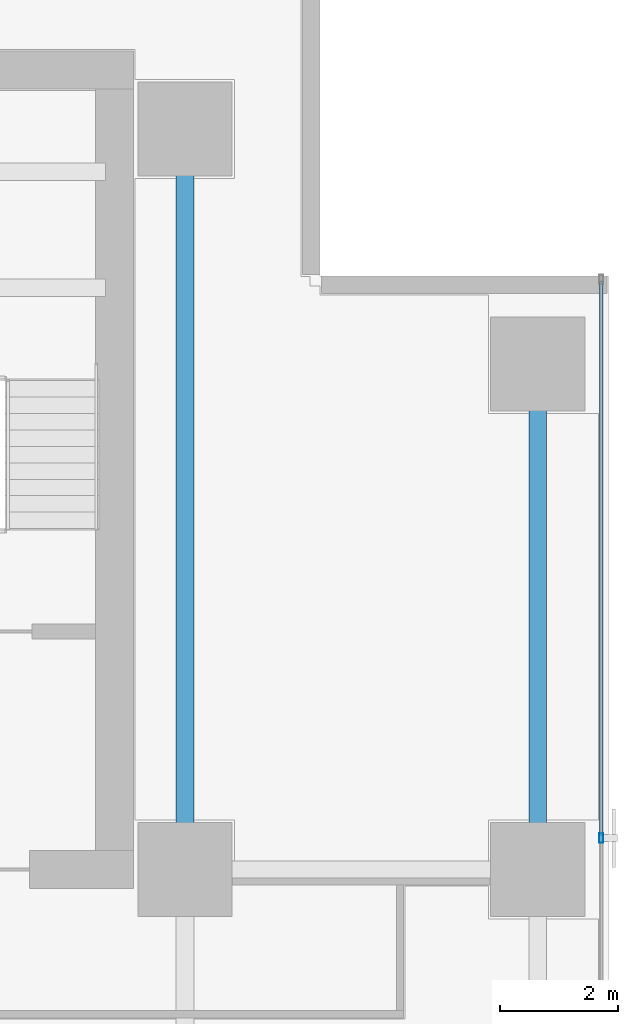
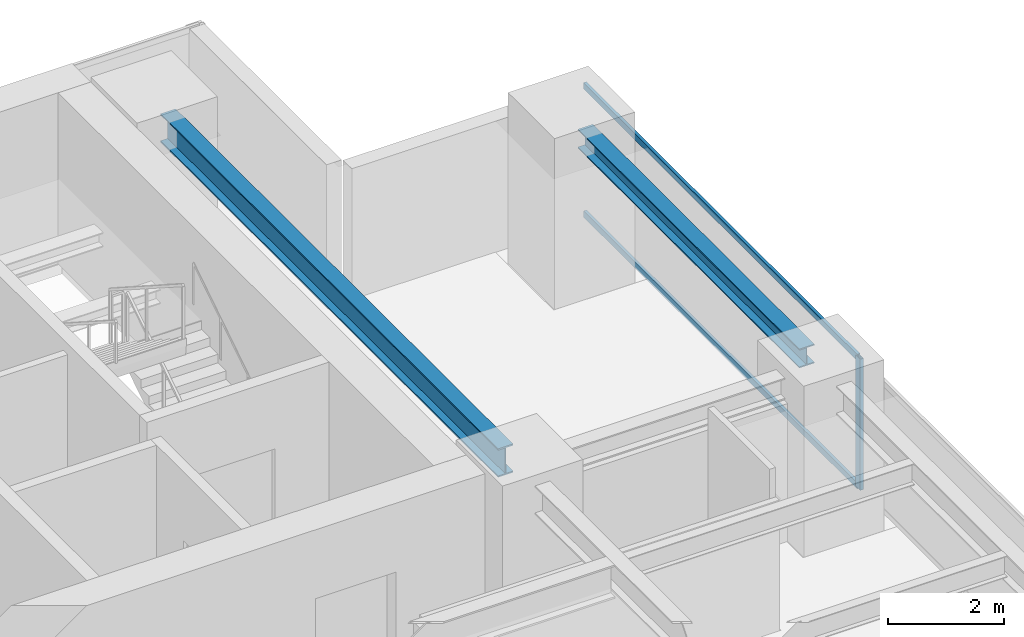
# One storey, part 18 of 27: 3 members, 2 beams, 1 element without a shape of its own.
"""IFC4 building model written with IfcOpenShell, lengths in metres."""

from ifc_helpers import new_model, si_unit, direction, frame, origin, origin_2d, place, context, subcontext, project, spatial, hollow_rectangle, i_section, extrude, source, transform, mapped, material, layer, layer_set, material_profile, profile_set, type_object, element, aggregate, save


model = new_model("IFC4")

# Units and contexts
model_context = context("Model", 3, precision=1e-05, world=origin(), true_north=direction((0.0, 1.0)))
body_context = subcontext(model_context, "Body", "Model", "MODEL_VIEW")
ifc_project = project(units=[si_unit("LENGTHUNIT", "METRE"), si_unit("AREAUNIT", "SQUARE_METRE"), si_unit("VOLUMEUNIT", "CUBIC_METRE"), si_unit("PLANEANGLEUNIT", "RADIAN"), si_unit("MASSUNIT", "GRAM", prefix="KILO")], contexts=[model_context])

# Site, building, storey
site_placement = place(None, origin())
site = spatial("IfcSite", under=ifc_project, at=site_placement, CompositionType="ELEMENT")
building_placement = place(site_placement, origin())
building = spatial("IfcBuilding", under=site, at=building_placement, Name="Sumidabori Civic Tower", CompositionType="ELEMENT")
storey_placement = place(building_placement, frame((0.0, 0.0, 138.800048828125)))
storey = spatial("IfcBuildingStorey", under=building, at=storey_placement, Name="L35", CompositionType="ELEMENT", Elevation=138.800048828125)

# Beams
ifc_material_1 = material(Name="Steel SN490", Category="steel")
ifc_material_profile_1 = material_profile(ifc_material_1, i_section(OverallWidth=0.300048828125, OverallDepth=0.39990234375, WebThickness=0.013427734375, FlangeThickness=0.02392578125, at=origin_2d()), Name="HE 400 B")
ifc_profile_set_1 = profile_set([ifc_material_profile_1], Name="Steel SN490")
beam_type_1 = type_object("IfcBeamType", Name="BM-GIRD-400", PredefinedType="BEAM", material=ifc_profile_set_1)
shared_shape_1 = source(origin(), body_context, "Body", "SweptSolid", [
    extrude(i_section(OverallWidth=0.300048828125, OverallDepth=0.39990234375, WebThickness=0.013427734375, FlangeThickness=0.02392578125, at=origin_2d()), origin(), (0.0, 0.0, 1.0), 7.64013671875),
])
beam_1_placement = place(storey_placement, frame((22.800048828125, 10.679931640625, 3.179931640625), z_axis=(0.0, 1.0, 0.0), x_axis=(-1.0, 0.0, 0.0)))
element("IfcBeam", 1, at=beam_1_placement, inside=storey, type_object=beam_type_1, Name="Primary Girder L35 GY-38", PredefinedType="BEAM", context=body_context, shape_type="MappedRepresentation", body=[
    mapped(shared_shape_1, transform((0.0, 0.0, 0.0), x_axis=(1.0, 0.0, 0.0), y_axis=(0.0, 1.0, 0.0), z_axis=(0.0, 0.0, 1.0), scale=1.0)),
])
ifc_material_profile_2 = material_profile(ifc_material_1, i_section(OverallWidth=0.300048828125, OverallDepth=0.60009765625, WebThickness=0.015380859375, FlangeThickness=0.030029296875, at=origin_2d()), Name="HE 600 B")
ifc_profile_set_2 = profile_set([ifc_material_profile_2], Name="Steel SN490")
beam_type_2 = type_object("IfcBeamType", Name="BM-GIRD-600", PredefinedType="BEAM", material=ifc_profile_set_2)
shared_shape_2 = source(origin(), body_context, "Body", "SweptSolid", [
    extrude(i_section(OverallWidth=0.300048828125, OverallDepth=0.60009765625, WebThickness=0.015380859375, FlangeThickness=0.030029296875, at=origin_2d()), origin(), (0.0, 0.0, 1.0), 11.64013671875),
])
beam_2_placement = place(storey_placement, frame((16.800048828125, 10.679931640625, 3.079833984375), z_axis=(0.0, 1.0, 0.0), x_axis=(-1.0, 0.0, 0.0)))
element("IfcBeam", 2, at=beam_2_placement, inside=storey, type_object=beam_type_2, Name="Primary Girder L35 GY-35", PredefinedType="BEAM", context=body_context, shape_type="MappedRepresentation", body=[
    mapped(shared_shape_2, transform((0.0, 0.0, 0.0), x_axis=(1.0, 0.0, 0.0), y_axis=(0.0, 1.0, 0.0), z_axis=(0.0, 0.0, 1.0), scale=1.0)),
])

# Curtain wall, members
ifc_material_2 = material(Name="Anodised Bronze Aluminium AW-6063-T6", Category="aluminium")
ifc_layer = layer(ifc_material_2, 0.179931640625, Name="Anodised Bronze Aluminium AW-6063-T6")
ifc_layer_set = layer_set([ifc_layer], Name="Anodised Bronze Aluminium AW-6063-T6")
curtain_wall_type = type_object("IfcCurtainWallType", Name="CW-SYS-3", PredefinedType="NOTDEFINED", material=ifc_layer_set)
curtain_wall_placement = place(storey_placement, origin())
curtain_wall = element("IfcCurtainWall", 3, at=curtain_wall_placement, inside=storey, type_object=curtain_wall_type, Name="Curtain Wall CW:L35:R04", PredefinedType="NOTDEFINED")
ifc_material_profile_3 = material_profile(ifc_material_2, hollow_rectangle(XDim=0.06494140625, YDim=0.159912109375, WallThickness=0.0048828125, at=origin_2d()), Name="ALU MULLION 160x65")
ifc_profile_set_3 = profile_set([ifc_material_profile_3], Name="Anodised Bronze Aluminium AW-6063-T6")
member_type_1 = type_object("IfcMemberType", Name="CW-MUL-160", PredefinedType="MULLION", material=ifc_profile_set_3)
shared_shape_3 = source(origin(), body_context, "Body", "SweptSolid", [
    extrude(hollow_rectangle(XDim=0.06494140625, YDim=0.159912109375, WallThickness=0.0048828125, at=origin_2d()), origin(), (0.0, 0.0, 1.0), 2.760009765625),
])
member_1_placement = place(storey_placement, frame((23.8798828125, 10.735107421875, 0.0), z_axis=(0.0, 0.0, 1.0), x_axis=(-1.0, 0.0, 0.0)))
member_1 = element("IfcMember", 4, at=member_1_placement, type_object=member_type_1, Name="CW-3 mullion 4", PredefinedType="MULLION", context=body_context, shape_type="MappedRepresentation", body=[
    mapped(shared_shape_3, transform((0.0, 0.0, 0.0), x_axis=(1.0, 0.0, 0.0), y_axis=(0.0, 1.0, 0.0), z_axis=(0.0, 0.0, 1.0), scale=1.0)),
])
ifc_material_profile_4 = material_profile(ifc_material_2, hollow_rectangle(XDim=0.06005859375, YDim=0.1298828125, WallThickness=0.0048828125, at=origin_2d()), Name="ALU TRANSOM 130x60")
ifc_profile_set_4 = profile_set([ifc_material_profile_4], Name="Anodised Bronze Aluminium AW-6063-T6")
member_type_2 = type_object("IfcMemberType", Name="CW-TRN-130", PredefinedType="USERDEFINED", material=ifc_profile_set_4)
shared_shape_4 = source(origin(), body_context, "Body", "SweptSolid", [
    extrude(hollow_rectangle(XDim=0.06005859375, YDim=0.1298828125, WallThickness=0.0048828125, at=origin_2d()), origin(), (0.0, 0.0, 1.0), 9.4375),
])
member_2_placement = place(storey_placement, frame((23.8798828125, 10.767578125, 0.030029296875), z_axis=(0.0, 1.0, 0.0), x_axis=(-1.0, 0.0, 0.0)))
member_2 = element("IfcMember", 5, at=member_2_placement, type_object=member_type_2, Name="CW-3 transom 4.1", ObjectType="TRANSOM", PredefinedType="USERDEFINED", context=body_context, shape_type="MappedRepresentation", body=[
    mapped(shared_shape_4, transform((0.0, 0.0, 0.0), x_axis=(1.0, 0.0, 0.0), y_axis=(0.0, 1.0, 0.0), z_axis=(0.0, 0.0, 1.0), scale=1.0)),
])
member_3_placement = place(storey_placement, frame((23.8798828125, 10.767578125, 2.72998046875), z_axis=(0.0, 1.0, 0.0), x_axis=(-1.0, 0.0, 0.0)))
member_3 = element("IfcMember", 6, at=member_3_placement, type_object=member_type_2, Name="CW-3 transom 4.2", ObjectType="TRANSOM", PredefinedType="USERDEFINED", context=body_context, shape_type="MappedRepresentation", body=[
    mapped(shared_shape_4, transform((0.0, 0.0, 0.0), x_axis=(1.0, 0.0, 0.0), y_axis=(0.0, 1.0, 0.0), z_axis=(0.0, 0.0, 1.0), scale=1.0)),
])
aggregate(curtain_wall, [member_1, member_2, member_3])

save(model, "model.ifc")
